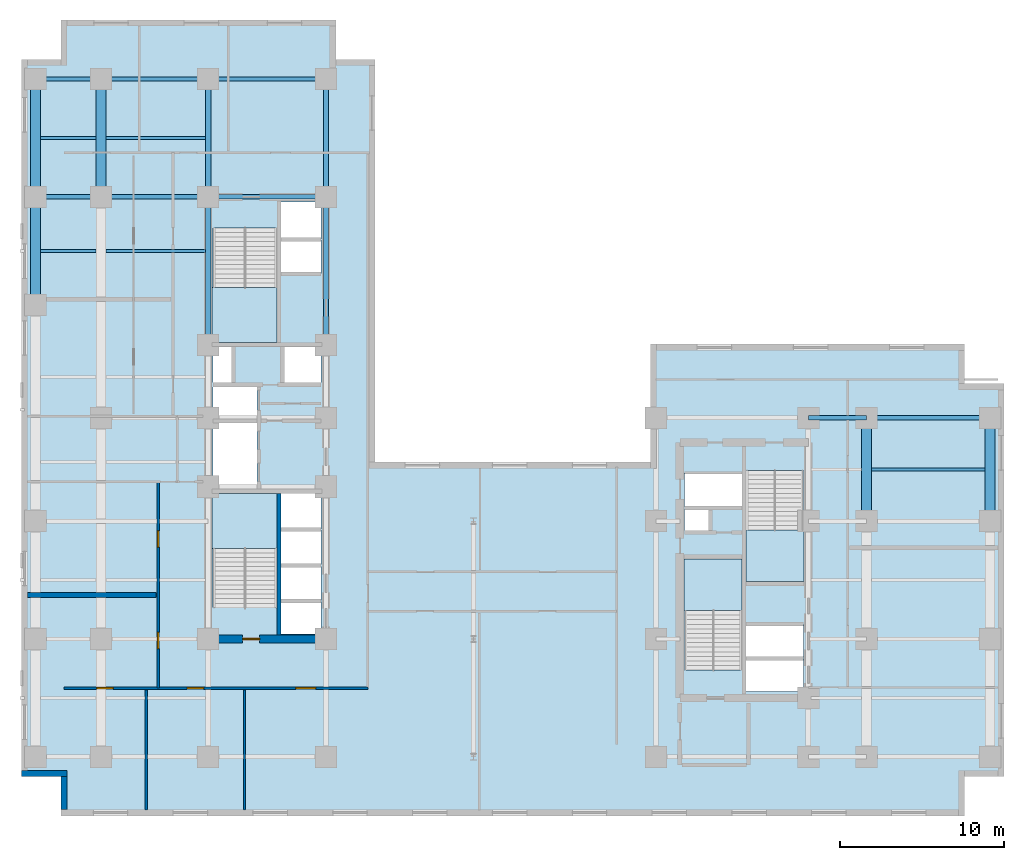
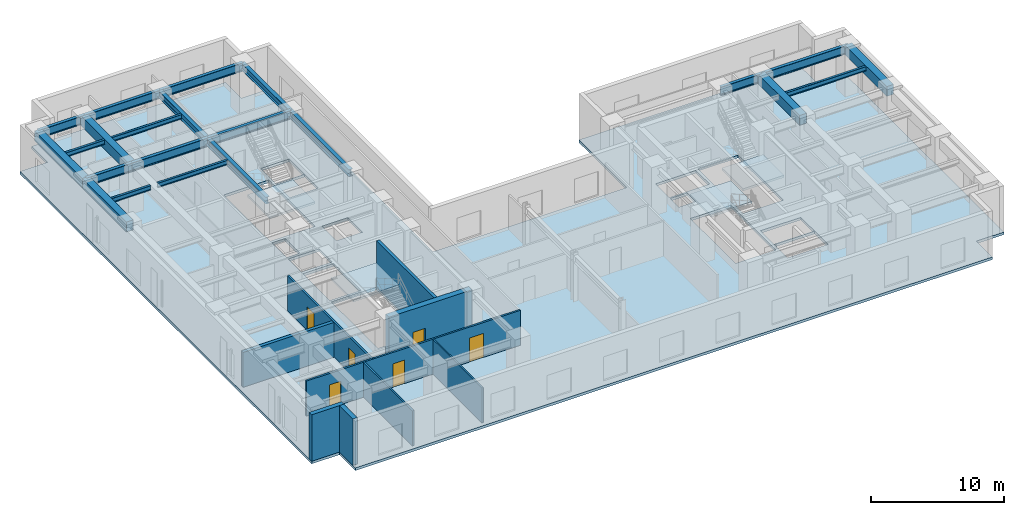
# One storey, part 2 of 9: 22 beams, 9 walls, 6 doors, 5 slabs, 6 openings, 4 elements without a shape of their own.
"""IFC4 building model written with IfcOpenShell, lengths in metres."""

from ifc_helpers import new_model, entity, si_unit, converted_unit, direction, frame, origin_with_axes, origin_2d_with_axis, place, context, subcontext, project, spatial, polyline, rectangle, i_section, outline, extrude, material, layer, layer_set, material_profile, profile_set, type_object, element, fill, aggregate, save


model = new_model("IFC4")

# Units and contexts
model_context = context("Model", 3, precision=1e-05, world=origin_with_axes(), true_north=direction((0.0, 1.0)))
body_context = subcontext(model_context, "Body", "Model", "MODEL_VIEW")
ifc_project = project(units=[si_unit("LENGTHUNIT", "METRE"), si_unit("AREAUNIT", "SQUARE_METRE"), si_unit("VOLUMEUNIT", "CUBIC_METRE"), converted_unit("PLANEANGLEUNIT", "DEGREE", entity("IfcPlaneAngleMeasure", 0.017453292519943295), si_unit("PLANEANGLEUNIT", "RADIAN"), dimensions=[0, 0, 0, 0, 0, 0, 0]), si_unit("MASSUNIT", "GRAM", prefix="KILO"), si_unit("THERMODYNAMICTEMPERATUREUNIT", "KELVIN")], contexts=[model_context])

# Site, building, storey
site_placement = place(None, origin_with_axes())
site = spatial("IfcSite", under=ifc_project, at=site_placement, CompositionType="ELEMENT")
building_placement = place(site_placement, origin_with_axes())
building = spatial("IfcBuilding", under=site, at=building_placement, Name="Varnlund Millrace Tower", CompositionType="ELEMENT")
storey_placement = place(building_placement, frame((0.0, 0.0, 84.6), z_axis=(0.0, 0.0, 1.0), x_axis=(1.0, 0.0, 0.0)))
storey = spatial("IfcBuildingStorey", under=building, at=storey_placement, Name="L20", CompositionType="ELEMENT", Elevation=84.6)

# Beams
ifc_material_1 = material(Name="Steel ASTM A992 Grade 50", Category="steel")
ifc_material_profile_1 = material_profile(ifc_material_1, i_section(OverallWidth=0.328, OverallDepth=0.628, WebThickness=0.0165, FlangeThickness=0.0277, FilletRadius=0.018, at=origin_2d_with_axis()), Name="Steel ASTM A992 Grade 50")
ifc_profile_set_1 = profile_set([ifc_material_profile_1], Name="Steel ASTM A992 Grade 50")
beam_type_1 = type_object("IfcBeamType", Name="Type-Girder-W24X146", PredefinedType="USERDEFINED", material=ifc_profile_set_1)
beam_1_placement = place(storey_placement, frame((11.4, 28.75, 3.946), z_axis=(0.0, 1.0, 0.0), x_axis=(-1.0, 0.0, 0.0)))
element("IfcBeam", 1, at=beam_1_placement, inside=storey, type_object=beam_type_1, Name="Type-Girder-W24X146", ObjectType="GIRDER", PredefinedType="USERDEFINED", context=body_context, shape_type="SweptSolid", body=[
    extrude(i_section(OverallWidth=0.328, OverallDepth=0.628, WebThickness=0.0165, FlangeThickness=0.0277, FilletRadius=0.018, at=origin_2d_with_axis()), origin_with_axes(), (0.0, 0.0, 1.0), 9.05),
])
beam_2_placement = place(storey_placement, frame((11.4, 37.8, 3.946), z_axis=(0.0, 1.0, 0.0), x_axis=(-1.0, 0.0, 0.0)))
element("IfcBeam", 2, at=beam_2_placement, inside=storey, type_object=beam_type_1, Name="Type-Girder-W24X146", ObjectType="GIRDER", PredefinedType="USERDEFINED", context=body_context, shape_type="SweptSolid", body=[
    extrude(i_section(OverallWidth=0.328, OverallDepth=0.628, WebThickness=0.0165, FlangeThickness=0.0277, FilletRadius=0.018, at=origin_2d_with_axis()), origin_with_axes(), (0.0, 0.0, 1.0), 7.2),
])
beam_3_placement = place(storey_placement, frame((18.6, 28.75, 3.946), z_axis=(0.0, 1.0, 0.0), x_axis=(-1.0, 0.0, 0.0)))
element("IfcBeam", 3, at=beam_3_placement, inside=storey, type_object=beam_type_1, Name="Type-Girder-W24X146", ObjectType="GIRDER", PredefinedType="USERDEFINED", context=body_context, shape_type="SweptSolid", body=[
    extrude(i_section(OverallWidth=0.328, OverallDepth=0.628, WebThickness=0.0165, FlangeThickness=0.0277, FilletRadius=0.018, at=origin_2d_with_axis()), origin_with_axes(), (0.0, 0.0, 1.0), 9.05),
])
beam_4_placement = place(storey_placement, frame((18.6, 37.8, 3.946), z_axis=(0.0, 1.0, 0.0), x_axis=(-1.0, 0.0, 0.0)))
element("IfcBeam", 4, at=beam_4_placement, inside=storey, type_object=beam_type_1, Name="Type-Girder-W24X146", ObjectType="GIRDER", PredefinedType="USERDEFINED", context=body_context, shape_type="SweptSolid", body=[
    extrude(i_section(OverallWidth=0.328, OverallDepth=0.628, WebThickness=0.0165, FlangeThickness=0.0277, FilletRadius=0.018, at=origin_2d_with_axis()), origin_with_axes(), (0.0, 0.0, 1.0), 7.2),
])
ifc_material_profile_2 = material_profile(ifc_material_1, i_section(OverallWidth=0.266, OverallDepth=0.779, WebThickness=0.0165, FlangeThickness=0.03, FilletRadius=0.02, at=origin_2d_with_axis()), Name="Steel ASTM A992 Grade 50")
ifc_profile_set_2 = profile_set([ifc_material_profile_2], Name="Steel ASTM A992 Grade 50")
beam_type_2 = type_object("IfcBeamType", Name="Type-Girder-W30X148", PredefinedType="USERDEFINED", material=ifc_profile_set_2)
beam_5_placement = place(storey_placement, frame((48.05, 24.3, 3.8705), z_axis=(1.0, 0.0, 0.0), x_axis=(0.0, 1.0, 0.0)))
element("IfcBeam", 5, at=beam_5_placement, inside=storey, type_object=beam_type_2, Name="Type-Girder-W30X148", ObjectType="GIRDER", PredefinedType="USERDEFINED", context=body_context, shape_type="SweptSolid", body=[
    extrude(i_section(OverallWidth=0.266, OverallDepth=0.779, WebThickness=0.0165, FlangeThickness=0.03, FilletRadius=0.02, at=origin_2d_with_axis()), origin_with_axes(), (0.0, 0.0, 1.0), 3.55),
])
beam_6_placement = place(storey_placement, frame((51.6, 24.3, 3.8705), z_axis=(1.0, 0.0, 0.0), x_axis=(0.0, 1.0, 0.0)))
element("IfcBeam", 6, at=beam_6_placement, inside=storey, type_object=beam_type_2, Name="Type-Girder-W30X148", ObjectType="GIRDER", PredefinedType="USERDEFINED", context=body_context, shape_type="SweptSolid", body=[
    extrude(i_section(OverallWidth=0.266, OverallDepth=0.779, WebThickness=0.0165, FlangeThickness=0.03, FilletRadius=0.02, at=origin_2d_with_axis()), origin_with_axes(), (0.0, 0.0, 1.0), 7.55),
])
beam_7_placement = place(storey_placement, frame((0.85, 37.8, 3.8705), z_axis=(1.0, 0.0, 0.0), x_axis=(0.0, 1.0, 0.0)))
element("IfcBeam", 7, at=beam_7_placement, inside=storey, type_object=beam_type_2, Name="Type-Girder-W30X148", ObjectType="GIRDER", PredefinedType="USERDEFINED", context=body_context, shape_type="SweptSolid", body=[
    extrude(i_section(OverallWidth=0.266, OverallDepth=0.779, WebThickness=0.0165, FlangeThickness=0.03, FilletRadius=0.02, at=origin_2d_with_axis()), origin_with_axes(), (0.0, 0.0, 1.0), 4.0),
])
beam_8_placement = place(storey_placement, frame((4.85, 37.8, 3.8705), z_axis=(1.0, 0.0, 0.0), x_axis=(0.0, 1.0, 0.0)))
element("IfcBeam", 8, at=beam_8_placement, inside=storey, type_object=beam_type_2, Name="Type-Girder-W30X148", ObjectType="GIRDER", PredefinedType="USERDEFINED", context=body_context, shape_type="SweptSolid", body=[
    extrude(i_section(OverallWidth=0.266, OverallDepth=0.779, WebThickness=0.0165, FlangeThickness=0.03, FilletRadius=0.02, at=origin_2d_with_axis()), origin_with_axes(), (0.0, 0.0, 1.0), 6.55),
])
beam_9_placement = place(storey_placement, frame((11.4, 37.8, 3.8705), z_axis=(1.0, 0.0, 0.0), x_axis=(0.0, 1.0, 0.0)))
element("IfcBeam", 9, at=beam_9_placement, inside=storey, type_object=beam_type_2, Name="Type-Girder-W30X148", ObjectType="GIRDER", PredefinedType="USERDEFINED", context=body_context, shape_type="SweptSolid", body=[
    extrude(i_section(OverallWidth=0.266, OverallDepth=0.779, WebThickness=0.0165, FlangeThickness=0.03, FilletRadius=0.02, at=origin_2d_with_axis()), origin_with_axes(), (0.0, 0.0, 1.0), 7.2),
])
beam_10_placement = place(storey_placement, frame((0.85, 45.0, 3.8705), z_axis=(1.0, 0.0, 0.0), x_axis=(0.0, 1.0, 0.0)))
element("IfcBeam", 10, at=beam_10_placement, inside=storey, type_object=beam_type_2, Name="Type-Girder-W30X148", ObjectType="GIRDER", PredefinedType="USERDEFINED", context=body_context, shape_type="SweptSolid", body=[
    extrude(i_section(OverallWidth=0.266, OverallDepth=0.779, WebThickness=0.0165, FlangeThickness=0.03, FilletRadius=0.02, at=origin_2d_with_axis()), origin_with_axes(), (0.0, 0.0, 1.0), 4.0),
])
beam_11_placement = place(storey_placement, frame((4.85, 45.0, 3.8705), z_axis=(1.0, 0.0, 0.0), x_axis=(0.0, 1.0, 0.0)))
element("IfcBeam", 11, at=beam_11_placement, inside=storey, type_object=beam_type_2, Name="Type-Girder-W30X148", ObjectType="GIRDER", PredefinedType="USERDEFINED", context=body_context, shape_type="SweptSolid", body=[
    extrude(i_section(OverallWidth=0.266, OverallDepth=0.779, WebThickness=0.0165, FlangeThickness=0.03, FilletRadius=0.02, at=origin_2d_with_axis()), origin_with_axes(), (0.0, 0.0, 1.0), 6.55),
])
beam_12_placement = place(storey_placement, frame((11.4, 45.0, 3.8705), z_axis=(1.0, 0.0, 0.0), x_axis=(0.0, 1.0, 0.0)))
element("IfcBeam", 12, at=beam_12_placement, inside=storey, type_object=beam_type_2, Name="Type-Girder-W30X148", ObjectType="GIRDER", PredefinedType="USERDEFINED", context=body_context, shape_type="SweptSolid", body=[
    extrude(i_section(OverallWidth=0.266, OverallDepth=0.779, WebThickness=0.0165, FlangeThickness=0.03, FilletRadius=0.02, at=origin_2d_with_axis()), origin_with_axes(), (0.0, 0.0, 1.0), 7.2),
])
ifc_material_profile_3 = material_profile(ifc_material_1, i_section(OverallWidth=0.181, OverallDepth=0.417, WebThickness=0.0109, FlangeThickness=0.0182, FilletRadius=0.013, at=origin_2d_with_axis()), Name="Steel ASTM A992 Grade 50")
ifc_profile_set_3 = profile_set([ifc_material_profile_3], Name="Steel ASTM A992 Grade 50")
beam_type_3 = type_object("IfcBeamType", Name="Type-Joist-W16X57", PredefinedType="JOIST", material=ifc_profile_set_3)
for number, where, z_axis, x_axis, name in (
    (13, (1.15, 34.5, 4.0515), (1.0, 0.0, 0.0), (0.0, 1.0, 0.0), "Type-Joist-W16X57"),
    (14, (1.15, 41.4, 4.0515), (1.0, 0.0, 0.0), (0.0, 1.0, 0.0), "Type-Joist-W16X57"),
):
    element("IfcBeam", number, at=place(storey_placement, frame(where, z_axis=z_axis, x_axis=x_axis)), inside=storey, type_object=beam_type_3, Name=name, PredefinedType="JOIST", context=body_context, shape_type="SweptSolid", body=[
        extrude(i_section(OverallWidth=0.181, OverallDepth=0.417, WebThickness=0.0109, FlangeThickness=0.0182, FilletRadius=0.013, at=origin_2d_with_axis()), origin_with_axes(), (0.0, 0.0, 1.0), 3.4),
    ])
for number, where, z_axis, x_axis, name in (
    (15, (5.15, 34.5, 4.0515), (1.0, 0.0, 0.0), (0.0, 1.0, 0.0), "Type-Joist-W16X57"),
    (16, (5.15, 41.4, 4.0515), (1.0, 0.0, 0.0), (0.0, 1.0, 0.0), "Type-Joist-W16X57"),
):
    element("IfcBeam", number, at=place(storey_placement, frame(where, z_axis=z_axis, x_axis=x_axis)), inside=storey, type_object=beam_type_3, Name=name, PredefinedType="JOIST", context=body_context, shape_type="SweptSolid", body=[
        extrude(i_section(OverallWidth=0.181, OverallDepth=0.417, WebThickness=0.0109, FlangeThickness=0.0182, FilletRadius=0.013, at=origin_2d_with_axis()), origin_with_axes(), (0.0, 0.0, 1.0), 6.086),
    ])
beam_13_placement = place(storey_placement, frame((51.9, 21.15, 4.0515), z_axis=(1.0, 0.0, 0.0), x_axis=(0.0, 1.0, 0.0)))
element("IfcBeam", 17, at=beam_13_placement, inside=storey, type_object=beam_type_3, Name="Type-Joist-W16X57", PredefinedType="JOIST", context=body_context, shape_type="SweptSolid", body=[
    extrude(i_section(OverallWidth=0.181, OverallDepth=0.417, WebThickness=0.0109, FlangeThickness=0.0182, FilletRadius=0.013, at=origin_2d_with_axis()), origin_with_axes(), (0.0, 0.0, 1.0), 6.95),
])
ifc_material_2 = material(Name="Concrete C70/85", Category="concrete")
ifc_material_profile_4 = material_profile(ifc_material_2, rectangle(XDim=0.6, YDim=0.9, at=origin_2d_with_axis()), Name="Concrete C70/85")
ifc_profile_set_4 = profile_set([ifc_material_profile_4], Name="Concrete C70/85")
beam_type_4 = type_object("IfcBeamType", Name="Type-Spandrel-RC600X900", PredefinedType="SPANDREL", material=ifc_profile_set_4)
beam_14_placement = place(storey_placement, frame((0.85, 31.2, 3.81), z_axis=(0.0, 1.0, 0.0), x_axis=(-1.0, 0.0, 0.0)))
element("IfcBeam", 18, at=beam_14_placement, inside=storey, type_object=beam_type_4, Name="Type-Spandrel-RC600X900", PredefinedType="SPANDREL", context=body_context, shape_type="SweptSolid", body=[
    extrude(rectangle(XDim=0.6, YDim=0.9, at=origin_2d_with_axis()), origin_with_axes(), (0.0, 0.0, 1.0), 6.6),
])
for number, where, z_axis, x_axis, name in (
    (19, (0.85, 37.8, 3.81), (0.0, 1.0, 0.0), (-1.0, 0.0, 0.0), "Type-Spandrel-RC600X900"),
    (20, (4.85, 37.8, 3.81), (0.0, 1.0, 0.0), (-1.0, 0.0, 0.0), "Type-Spandrel-RC600X900"),
):
    element("IfcBeam", number, at=place(storey_placement, frame(where, z_axis=z_axis, x_axis=x_axis)), inside=storey, type_object=beam_type_4, Name=name, PredefinedType="SPANDREL", context=body_context, shape_type="SweptSolid", body=[
        extrude(rectangle(XDim=0.6, YDim=0.9, at=origin_2d_with_axis()), origin_with_axes(), (0.0, 0.0, 1.0), 7.2),
    ])
for number, where, z_axis, x_axis, name in (
    (21, (51.6, 18.0, 3.81), (0.0, 1.0, 0.0), (-1.0, 0.0, 0.0), "Type-Spandrel-RC600X900"),
    (22, (59.15, 18.0, 3.81), (0.0, 1.0, 0.0), (-1.0, 0.0, 0.0), "Type-Spandrel-RC600X900"),
):
    element("IfcBeam", number, at=place(storey_placement, frame(where, z_axis=z_axis, x_axis=x_axis)), inside=storey, type_object=beam_type_4, Name=name, PredefinedType="SPANDREL", context=body_context, shape_type="SweptSolid", body=[
        extrude(rectangle(XDim=0.6, YDim=0.9, at=origin_2d_with_axis()), origin_with_axes(), (0.0, 0.0, 1.0), 6.3),
    ])

# Slab
ifc_material_3 = material(Name="Concrete C60/75", Category="concrete")
ifc_layer_1 = layer(ifc_material_3, 0.24, Name="Concrete C60/75")
ifc_layer_set_1 = layer_set([ifc_layer_1], Name="Concrete C60/75")
slab_type_1 = type_object("IfcSlabType", Name="Type-Deck-Plate-Typical-240", PredefinedType="FLOOR", material=ifc_layer_set_1)
slab_1_placement = place(storey_placement, frame((0.0, 0.0, -0.24), z_axis=(0.0, 0.0, 1.0), x_axis=(1.0, 0.0, 0.0)))
element("IfcSlab", 23, at=slab_1_placement, inside=storey, type_object=slab_type_1, Name="Type-Deck-Plate-Typical-240", PredefinedType="FLOOR", context=body_context, shape_type="SweptSolid", body=[
    extrude(outline(polyline([(21.6, 21.6), (21.6, 46.2), (19.2, 46.2), (19.2, 48.6), (2.4, 48.6), (2.4, 46.2), (0.0, 46.2), (0.0, 2.4), (2.4, 2.4), (2.4, 0.0), (57.6, 0.0), (57.6, 2.4), (60.0, 2.4), (60.0, 26.4), (57.6, 26.4), (57.6, 28.8), (38.4, 28.8), (38.4, 21.6), (21.6, 21.6)]), holes=[polyline([(18.3, 11.1), (15.84, 11.1), (15.84, 13.1), (18.3, 13.1), (18.3, 11.1)]), polyline([(18.3, 13.16), (15.84, 13.16), (15.84, 15.24), (18.3, 15.24), (18.3, 13.16)]), polyline([(15.6, 12.715), (11.7, 12.715), (11.7, 19.7), (15.6, 19.7), (15.6, 12.715)]), polyline([(18.3, 15.34), (15.84, 15.34), (15.84, 17.46), (18.3, 17.46), (18.3, 15.34)]), polyline([(18.3, 17.52), (15.84, 17.52), (15.84, 19.7), (18.3, 19.7), (18.3, 17.52)]), polyline([(14.38, 23.98), (14.38, 19.94), (11.7, 19.94), (11.7, 23.98), (14.38, 23.98)]), polyline([(11.7, 24.24), (11.7, 26.2), (14.38, 26.2), (14.38, 24.24), (11.7, 24.24)]), polyline([(11.7, 26.46), (11.7, 28.65), (12.84, 28.65), (12.84, 26.46), (11.7, 26.46)]), polyline([(15.6, 28.9), (11.7, 28.9), (11.7, 35.885), (15.6, 35.885), (15.6, 28.9)]), polyline([(47.75, 7.6), (44.25, 7.6), (44.25, 9.6), (47.75, 9.6), (47.75, 7.6)]), polyline([(47.75, 9.66), (44.25, 9.66), (44.25, 11.68), (47.75, 11.68), (47.75, 9.66)]), polyline([(40.5, 8.915), (40.5, 15.7), (44.0, 15.7), (44.0, 8.915), (40.5, 8.915)]), polyline([(44.25, 14.3), (44.25, 21.085), (47.75, 21.085), (47.75, 14.3), (44.25, 14.3)]), polyline([(41.95, 17.42), (40.5, 17.42), (40.5, 18.72), (41.95, 18.72), (41.95, 17.42)]), polyline([(44.0, 18.88), (40.5, 18.88), (40.5, 20.94), (44.0, 20.94), (44.0, 18.88)]), polyline([(18.3, 26.46), (16.04, 26.46), (16.04, 28.65), (18.3, 28.65), (18.3, 26.46)]), polyline([(15.84, 33.12), (15.84, 35.18), (18.3, 35.18), (18.3, 33.12), (15.84, 33.12)]), polyline([(15.84, 35.22), (15.84, 37.5), (18.3, 37.5), (18.3, 35.22), (15.84, 35.22)])]), origin_with_axes(), (0.0, 0.0, 1.0), 0.24),
])

# Stair, slab
ifc_material_4 = material(Name="Concrete C50/60", Category="concrete")
stair_type_1 = type_object("IfcStairType", Name="Type-Stair-Dogleg-185-450", PredefinedType="HALF_TURN_STAIR", material=ifc_material_4)
stair_1_placement = place(storey_placement, origin_with_axes())
stair_1 = element("IfcStair", 24, at=stair_1_placement, inside=storey, type_object=stair_type_1, Name="Type-Stair-Dogleg-185-450", PredefinedType="HALF_TURN_STAIR")
ifc_layer_2 = layer(ifc_material_4, 0.2, Name="Concrete C50/60")
ifc_layer_set_2 = layer_set([ifc_layer_2], Name="Concrete C50/60")
slab_type_2 = type_object("IfcSlabType", Name="Type-StairLanding-200", PredefinedType="LANDING", material=ifc_layer_set_2)
slab_2_placement = place(storey_placement, frame((0.0, 0.0, 2.05), z_axis=(0.0, 0.0, 1.0), x_axis=(1.0, 0.0, 0.0)))
slab_2 = element("IfcSlab", 25, at=slab_2_placement, type_object=slab_type_2, Name="ST-A1 landing 1", PredefinedType="LANDING", context=body_context, shape_type="SweptSolid", body=[
    extrude(outline(polyline([(15.6, 16.34), (15.6, 19.7), (11.65, 19.7), (11.65, 16.34), (15.6, 16.34)])), origin_with_axes(), (0.0, 0.0, 1.0), 0.2),
])
aggregate(stair_1, [slab_2])

stair_2_placement = place(storey_placement, origin_with_axes())
stair_2 = element("IfcStair", 26, at=stair_2_placement, inside=storey, type_object=stair_type_1, Name="Type-Stair-Dogleg-185-450", PredefinedType="HALF_TURN_STAIR")
slab_3_placement = place(storey_placement, frame((0.0, 0.0, 2.05), z_axis=(0.0, 0.0, 1.0), x_axis=(1.0, 0.0, 0.0)))
slab_3 = element("IfcSlab", 27, at=slab_3_placement, type_object=slab_type_2, Name="ST-A2 landing 1", PredefinedType="LANDING", context=body_context, shape_type="SweptSolid", body=[
    extrude(outline(polyline([(11.65, 32.26), (11.65, 28.9), (15.6, 28.9), (15.6, 32.26), (11.65, 32.26)])), origin_with_axes(), (0.0, 0.0, 1.0), 0.2),
])
aggregate(stair_2, [slab_3])

stair_type_2 = type_object("IfcStairType", Name="Type-Stair-Dogleg-165-450", PredefinedType="HALF_TURN_STAIR", material=ifc_material_4)
stair_3_placement = place(storey_placement, origin_with_axes())
stair_3 = element("IfcStair", 28, at=stair_3_placement, inside=storey, type_object=stair_type_2, Name="Type-Stair-Dogleg-165-450", PredefinedType="HALF_TURN_STAIR")
slab_4_placement = place(storey_placement, frame((0.0, 0.0, 2.05), z_axis=(0.0, 0.0, 1.0), x_axis=(1.0, 0.0, 0.0)))
slab_4 = element("IfcSlab", 29, at=slab_4_placement, type_object=slab_type_2, Name="ST-B1 landing 1", PredefinedType="LANDING", context=body_context, shape_type="SweptSolid", body=[
    extrude(outline(polyline([(44.0, 12.54), (44.0, 15.7), (40.45, 15.7), (40.45, 12.54), (44.0, 12.54)])), origin_with_axes(), (0.0, 0.0, 1.0), 0.2),
])
aggregate(stair_3, [slab_4])

stair_4_placement = place(storey_placement, origin_with_axes())
stair_4 = element("IfcStair", 30, at=stair_4_placement, inside=storey, type_object=stair_type_2, Name="Type-Stair-Dogleg-165-450", PredefinedType="HALF_TURN_STAIR")
slab_5_placement = place(storey_placement, frame((0.0, 0.0, 2.05), z_axis=(0.0, 0.0, 1.0), x_axis=(1.0, 0.0, 0.0)))
slab_5 = element("IfcSlab", 31, at=slab_5_placement, type_object=slab_type_2, Name="ST-B2 landing 1", PredefinedType="LANDING", context=body_context, shape_type="SweptSolid", body=[
    extrude(outline(polyline([(44.25, 17.46), (44.25, 14.3), (47.8, 14.3), (47.8, 17.46), (44.25, 17.46)])), origin_with_axes(), (0.0, 0.0, 1.0), 0.2),
])
aggregate(stair_4, [slab_5])

# Wall, opening, door
ifc_layer_3 = layer(ifc_material_2, 0.5, Name="Concrete C70/85")
ifc_layer_set_3 = layer_set([ifc_layer_3], Name="Concrete C70/85")
wall_type_1 = type_object("IfcWallType", Name="Type-CoreWall-Shear-500-C70", PredefinedType="SHEAR", material=ifc_layer_set_3)
wall_1_placement = place(storey_placement, frame((11.4, 10.8, 0.0), z_axis=(0.0, 0.0, 1.0), x_axis=(1.0, 0.0, 0.0)))
wall_1 = element("IfcWall", 32, at=wall_1_placement, inside=storey, type_object=wall_type_1, Name="Type-CoreWall-Shear-500-C70", PredefinedType="SHEAR", context=body_context, shape_type="SweptSolid", body=[
    extrude(outline(polyline([(0.0, -0.25), (7.2, -0.25), (7.2, 0.25), (0.0, 0.25), (0.0, -0.25)])), origin_with_axes(), (0.0, 0.0, 1.0), 4.26),
])
opening_1_placement = place(wall_1_placement, frame((2.625, 0.0, 0.0), z_axis=(0.0, 0.0, 1.0), x_axis=(1.0, 0.0, 0.0)))
opening_1 = element("IfcOpeningElement", 33, at=opening_1_placement, cuts=wall_1, Name="Opening L20:DR-STA1", PredefinedType="OPENING", context=body_context, shape_type="SweptSolid", body=[
    extrude(rectangle(XDim=1.05, YDim=0.52, at=origin_2d_with_axis()), origin_with_axes(), (0.0, 0.0, 1.0), 2.15),
])
ifc_material_5 = material(Name="Fire-rated hollow steel door", Category="steel")
door_type_1 = type_object("IfcDoorType", Name="Type-FireDoor-Stair-1050X2150", OperationType="NOTDEFINED", PredefinedType="DOOR", material=ifc_material_5)
door_1_placement = place(wall_1_placement, frame((2.625, 0.0, 0.0), z_axis=(0.0, 0.0, 1.0), x_axis=(1.0, 0.0, 0.0)))
door_1 = element("IfcDoor", 34, at=door_1_placement, inside=storey, type_object=door_type_1, Name="Type-FireDoor-Stair-1050X2150", OperationType="SINGLE_SWING_LEFT", OverallHeight=2.15, OverallWidth=1.05, PredefinedType="DOOR", context=body_context, shape_type="SweptSolid", body=[
    extrude(rectangle(XDim=1.05, YDim=0.09, at=origin_2d_with_axis()), origin_with_axes(), (0.0, 0.0, 1.0), 2.15),
])
fill(opening_1, door_1)

# Walls
ifc_material_6 = material(Name="Precast concrete C50/60", Category="concrete")
ifc_layer_4 = layer(ifc_material_6, 0.38, Name="Precast concrete C50/60")
ifc_layer_set_4 = layer_set([ifc_layer_4], Name="Precast concrete C50/60")
wall_type_2 = type_object("IfcWallType", Name="Type-ExtWall-Precast-Tube-380", PredefinedType="SOLIDWALL", material=ifc_layer_set_4)
wall_2_placement = place(storey_placement, frame((2.59, 0.38, 0.0), z_axis=(0.0, 0.0, 1.0), x_axis=(0.0, 1.0, 0.0)))
element("IfcWall", 35, at=wall_2_placement, inside=storey, type_object=wall_type_2, Name="Type-ExtWall-Precast-Tube-380", PredefinedType="SOLIDWALL", context=body_context, shape_type="SweptSolid", body=[
    extrude(outline(polyline([(0.0, -0.19), (2.02, -0.19), (2.02, 0.19), (0.0, 0.19), (0.0, -0.19)])), origin_with_axes(), (0.0, 0.0, 1.0), 4.26),
])
wall_3_placement = place(storey_placement, frame((2.78, 2.59, 0.0), z_axis=(0.0, 0.0, 1.0), x_axis=(-1.0, 0.0, 0.0)))
element("IfcWall", 36, at=wall_3_placement, inside=storey, type_object=wall_type_2, Name="Type-ExtWall-Precast-Tube-380", PredefinedType="SOLIDWALL", context=body_context, shape_type="SweptSolid", body=[
    extrude(outline(polyline([(0.0, -0.19), (2.78, -0.19), (2.78, 0.19), (0.0, 0.19), (0.0, -0.19)])), origin_with_axes(), (0.0, 0.0, 1.0), 4.26),
])
ifc_material_7 = material(Name="Double-stud STC-60 conference acoustic partition", Category="gypsum")
ifc_layer_5 = layer(ifc_material_7, 0.28, Name="Double-stud STC-60 conference acoustic partition")
ifc_layer_set_5 = layer_set([ifc_layer_5], Name="Double-stud STC-60 conference acoustic partition")
wall_type_3 = type_object("IfcWallType", Name="Type-Partition-Acoustic-280", PredefinedType="PARTITIONING", material=ifc_layer_set_5)
wall_4_placement = place(storey_placement, frame((0.375, 13.488, 0.0), z_axis=(0.0, 0.0, 1.0), x_axis=(1.0, 0.0, 0.0)))
element("IfcWall", 37, at=wall_4_placement, inside=storey, type_object=wall_type_3, Name="Type-Partition-Acoustic-280", PredefinedType="PARTITIONING", context=body_context, shape_type="SweptSolid", body=[
    extrude(outline(polyline([(0.0, -0.14), (7.855, -0.14), (7.855, 0.14), (0.0, 0.14), (0.0, -0.14)])), origin_with_axes(), (0.0, 0.0, 1.0), 3.2),
])

# Wall, openings, doors
ifc_material_8 = material(Name="Fire-rated gypsum board on cold-formed steel framing", Category="steel")
ifc_layer_6 = layer(ifc_material_8, 0.16, Name="Fire-rated gypsum board on cold-formed steel framing")
ifc_layer_set_6 = layer_set([ifc_layer_6], Name="Fire-rated gypsum board on cold-formed steel framing")
wall_type_4 = type_object("IfcWallType", Name="Type-Partition-Corridor-160", PredefinedType="PARTITIONING", material=ifc_layer_set_6)
wall_5_placement = place(storey_placement, frame((2.6, 7.8, 0.0), z_axis=(0.0, 0.0, 1.0), x_axis=(1.0, 0.0, 0.0)))
wall_5 = element("IfcWall", 38, at=wall_5_placement, inside=storey, type_object=wall_type_4, Name="Type-Partition-Corridor-160", PredefinedType="PARTITIONING", context=body_context, shape_type="SweptSolid", body=[
    extrude(outline(polyline([(0.0, -0.08), (18.55, -0.08), (18.55, 0.08), (0.0, 0.08), (0.0, -0.08)])), origin_with_axes(), (0.0, 0.0, 1.0), 3.2),
])
opening_2_placement = place(wall_5_placement, frame((2.5005, 0.0, 0.0), z_axis=(0.0, 0.0, 1.0), x_axis=(1.0, 0.0, 0.0)))
opening_2 = element("IfcOpeningElement", 39, at=opening_2_placement, cuts=wall_5, Name="Opening L20:DR-WAS-01", PredefinedType="OPENING", context=body_context, shape_type="SweptSolid", body=[
    extrude(rectangle(XDim=1.0, YDim=0.18, at=origin_2d_with_axis()), origin_with_axes(), (0.0, 0.0, 1.0), 2.15),
])
opening_3_placement = place(wall_5_placement, frame((8.018, 0.0, 0.0), z_axis=(0.0, 0.0, 1.0), x_axis=(1.0, 0.0, 0.0)))
opening_3 = element("IfcOpeningElement", 40, at=opening_3_placement, cuts=wall_5, Name="Opening L20:DR-WAS-02", PredefinedType="OPENING", context=body_context, shape_type="SweptSolid", body=[
    extrude(rectangle(XDim=1.0, YDim=0.18, at=origin_2d_with_axis()), origin_with_axes(), (0.0, 0.0, 1.0), 2.15),
])
opening_4_placement = place(wall_5_placement, frame((14.7625, 0.0, 0.0), z_axis=(0.0, 0.0, 1.0), x_axis=(1.0, 0.0, 0.0)))
opening_4 = element("IfcOpeningElement", 41, at=opening_4_placement, cuts=wall_5, Name="Opening L20:DR-WAS-03", PredefinedType="OPENING", context=body_context, shape_type="SweptSolid", body=[
    extrude(rectangle(XDim=1.2, YDim=0.18, at=origin_2d_with_axis()), origin_with_axes(), (0.0, 0.0, 1.0), 2.2),
])
ifc_material_9 = material(Name="Wide executive white oak acoustic door")
door_type_2 = type_object("IfcDoorType", Name="Type-IntDoor-Exec-1200X2200", OperationType="NOTDEFINED", PredefinedType="DOOR", material=ifc_material_9)
door_2_placement = place(wall_5_placement, frame((14.7625, 0.0, 0.0), z_axis=(0.0, 0.0, 1.0), x_axis=(1.0, 0.0, 0.0)))
door_2 = element("IfcDoor", 42, at=door_2_placement, inside=storey, type_object=door_type_2, Name="Type-IntDoor-Exec-1200X2200", OperationType="SINGLE_SWING_LEFT", OverallHeight=2.2, OverallWidth=1.2, PredefinedType="DOOR", context=body_context, shape_type="SweptSolid", body=[
    extrude(rectangle(XDim=1.2, YDim=0.09, at=origin_2d_with_axis()), origin_with_axes(), (0.0, 0.0, 1.0), 2.2),
])
fill(opening_4, door_2)
ifc_material_10 = material(Name="Solid-core white oak and bronze frame door")
door_type_3 = type_object("IfcDoorType", Name="Type-IntDoor-Office-1000X2150", OperationType="NOTDEFINED", PredefinedType="DOOR", material=ifc_material_10)
door_3_placement = place(wall_5_placement, frame((2.5005, 0.0, 0.0), z_axis=(0.0, 0.0, 1.0), x_axis=(1.0, 0.0, 0.0)))
door_3 = element("IfcDoor", 43, at=door_3_placement, inside=storey, type_object=door_type_3, Name="Type-IntDoor-Office-1000X2150", OperationType="SINGLE_SWING_LEFT", OverallHeight=2.15, OverallWidth=1.0, PredefinedType="DOOR", context=body_context, shape_type="SweptSolid", body=[
    extrude(rectangle(XDim=1.0, YDim=0.09, at=origin_2d_with_axis()), origin_with_axes(), (0.0, 0.0, 1.0), 2.15),
])
fill(opening_2, door_3)
door_4_placement = place(wall_5_placement, frame((8.018, 0.0, 0.0), z_axis=(0.0, 0.0, 1.0), x_axis=(1.0, 0.0, 0.0)))
door_4 = element("IfcDoor", 44, at=door_4_placement, inside=storey, type_object=door_type_3, Name="Type-IntDoor-Office-1000X2150", OperationType="SINGLE_SWING_RIGHT", OverallHeight=2.15, OverallWidth=1.0, PredefinedType="DOOR", context=body_context, shape_type="SweptSolid", body=[
    extrude(rectangle(XDim=1.0, YDim=0.09, at=origin_2d_with_axis()), origin_with_axes(), (0.0, 0.0, 1.0), 2.15),
])
fill(opening_3, door_4)

wall_6_placement = place(storey_placement, frame((8.35, 7.8, 0.0), z_axis=(0.0, 0.0, 1.0), x_axis=(0.0, 1.0, 0.0)))
wall_6 = element("IfcWall", 45, at=wall_6_placement, inside=storey, type_object=wall_type_4, Name="Type-Partition-Corridor-160", PredefinedType="PARTITIONING", context=body_context, shape_type="SweptSolid", body=[
    extrude(outline(polyline([(0.0, -0.08), (12.6, -0.08), (12.6, 0.08), (0.0, 0.08), (0.0, -0.08)])), origin_with_axes(), (0.0, 0.0, 1.0), 3.2),
])
opening_5_placement = place(wall_6_placement, frame((2.909, 0.0, 0.0), z_axis=(0.0, 0.0, 1.0), x_axis=(1.0, 0.0, 0.0)))
opening_5 = element("IfcOpeningElement", 46, at=opening_5_placement, cuts=wall_6, Name="Opening L20:DR-WS-01", PredefinedType="OPENING", context=body_context, shape_type="SweptSolid", body=[
    extrude(rectangle(XDim=1.0, YDim=0.18, at=origin_2d_with_axis()), origin_with_axes(), (0.0, 0.0, 1.0), 2.15),
])
opening_6_placement = place(wall_6_placement, frame((9.104, 0.0, 0.0), z_axis=(0.0, 0.0, 1.0), x_axis=(1.0, 0.0, 0.0)))
opening_6 = element("IfcOpeningElement", 47, at=opening_6_placement, cuts=wall_6, Name="Opening L20:DR-WS-02", PredefinedType="OPENING", context=body_context, shape_type="SweptSolid", body=[
    extrude(rectangle(XDim=1.0, YDim=0.18, at=origin_2d_with_axis()), origin_with_axes(), (0.0, 0.0, 1.0), 2.15),
])
door_5_placement = place(wall_6_placement, frame((2.909, 0.0, 0.0), z_axis=(0.0, 0.0, 1.0), x_axis=(1.0, 0.0, 0.0)))
door_5 = element("IfcDoor", 48, at=door_5_placement, inside=storey, type_object=door_type_3, Name="Type-IntDoor-Office-1000X2150", OperationType="SINGLE_SWING_LEFT", OverallHeight=2.15, OverallWidth=1.0, PredefinedType="DOOR", context=body_context, shape_type="SweptSolid", body=[
    extrude(rectangle(XDim=1.0, YDim=0.09, at=origin_2d_with_axis()), origin_with_axes(), (0.0, 0.0, 1.0), 2.15),
])
fill(opening_5, door_5)
door_6_placement = place(wall_6_placement, frame((9.104, 0.0, 0.0), z_axis=(0.0, 0.0, 1.0), x_axis=(1.0, 0.0, 0.0)))
door_6 = element("IfcDoor", 49, at=door_6_placement, inside=storey, type_object=door_type_3, Name="Type-IntDoor-Office-1000X2150", OperationType="SINGLE_SWING_RIGHT", OverallHeight=2.15, OverallWidth=1.0, PredefinedType="DOOR", context=body_context, shape_type="SweptSolid", body=[
    extrude(rectangle(XDim=1.0, YDim=0.09, at=origin_2d_with_axis()), origin_with_axes(), (0.0, 0.0, 1.0), 2.15),
])
fill(opening_6, door_6)

# Walls
ifc_material_11 = material(Name="Acoustic STC-50 gypsum board partition", Category="gypsum")
ifc_layer_7 = layer(ifc_material_11, 0.15, Name="Acoustic STC-50 gypsum board partition")
ifc_layer_set_7 = layer_set([ifc_layer_7], Name="Acoustic STC-50 gypsum board partition")
wall_type_5 = type_object("IfcWallType", Name="Type-Partition-Demising-150", PredefinedType="PARTITIONING", material=ifc_layer_set_7)
wall_7_placement = place(storey_placement, frame((7.611, 0.36, 0.0), z_axis=(0.0, 0.0, 1.0), x_axis=(0.0, 1.0, 0.0)))
element("IfcWall", 50, at=wall_7_placement, inside=storey, type_object=wall_type_5, Name="Type-Partition-Demising-150", PredefinedType="PARTITIONING", context=body_context, shape_type="SweptSolid", body=[
    extrude(outline(polyline([(0.0, -0.075), (7.34, -0.075), (7.34, 0.075), (0.0, 0.075), (0.0, -0.075)])), origin_with_axes(), (0.0, 0.0, 1.0), 3.2),
])
ifc_material_12 = material(Name="Gypsum board tenant partition", Category="gypsum")
ifc_layer_8 = layer(ifc_material_12, 0.125, Name="Gypsum board tenant partition")
ifc_layer_set_8 = layer_set([ifc_layer_8], Name="Gypsum board tenant partition")
wall_type_6 = type_object("IfcWallType", Name="Type-Partition-Tenant-125", PredefinedType="PARTITIONING", material=ifc_layer_set_8)
wall_8_placement = place(storey_placement, frame((13.625, 0.36, 0.0), z_axis=(0.0, 0.0, 1.0), x_axis=(0.0, 1.0, 0.0)))
element("IfcWall", 51, at=wall_8_placement, inside=storey, type_object=wall_type_6, Name="Type-Partition-Tenant-125", PredefinedType="PARTITIONING", context=body_context, shape_type="SweptSolid", body=[
    extrude(outline(polyline([(0.0, -0.0625), (7.34, -0.0625), (7.34, 0.0625), (0.0, 0.0625), (0.0, -0.0625)])), origin_with_axes(), (0.0, 0.0, 1.0), 3.2),
])
ifc_layer_9 = layer(ifc_material_3, 0.25, Name="Concrete C60/75")
ifc_layer_set_9 = layer_set([ifc_layer_9], Name="Concrete C60/75")
wall_type_7 = type_object("IfcWallType", Name="Type-StairWall-Shear-250", PredefinedType="SHEAR", material=ifc_layer_set_9)
wall_9_placement = place(storey_placement, frame((15.725, 11.05, 0.0), z_axis=(0.0, 0.0, 1.0), x_axis=(0.0, 1.0, 0.0)))
element("IfcWall", 52, at=wall_9_placement, inside=storey, type_object=wall_type_7, Name="Type-StairWall-Shear-250", PredefinedType="SHEAR", context=body_context, shape_type="SweptSolid", body=[
    extrude(outline(polyline([(0.0, -0.125), (8.65, -0.125), (8.65, 0.125), (0.0, 0.125), (0.0, -0.125)])), origin_with_axes(), (0.0, 0.0, 1.0), 4.26),
])

save(model, "model.ifc")
